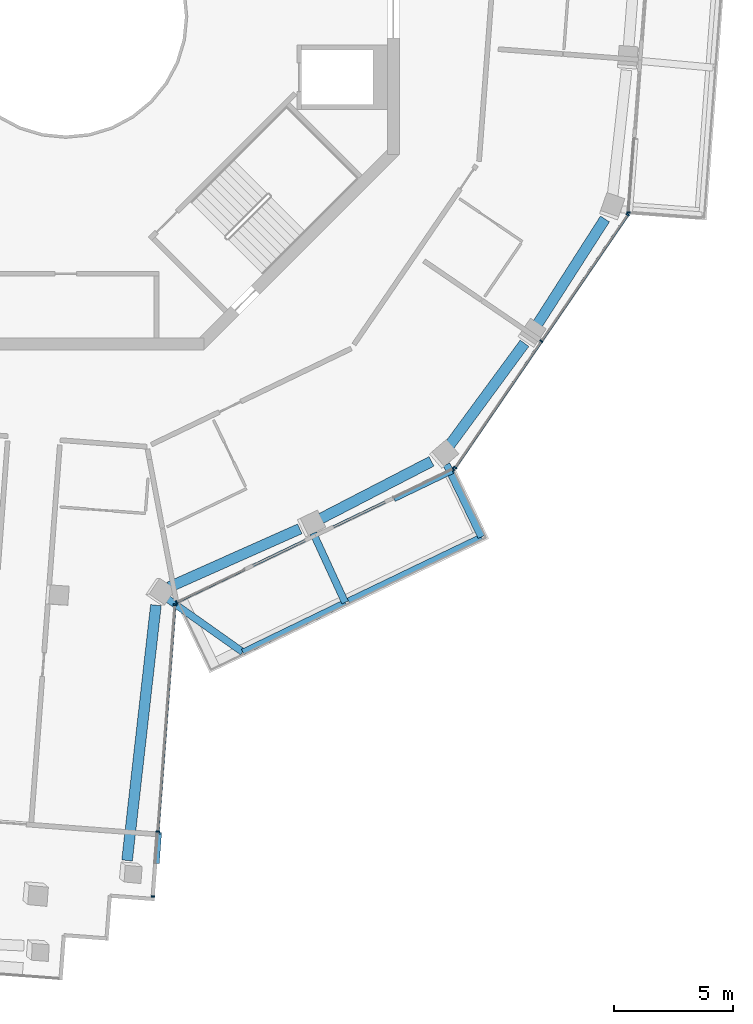
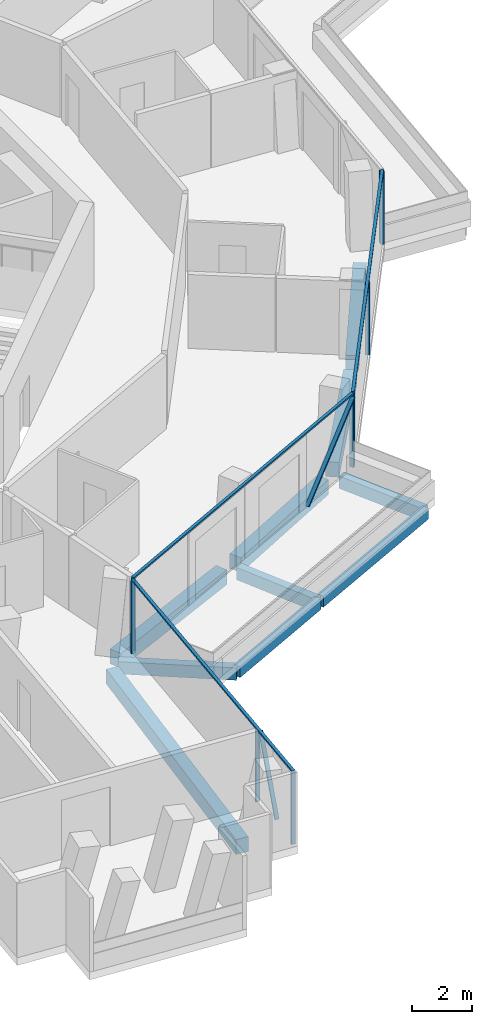
# One storey, part 4 of 23: 14 members, 10 beams, 4 elements without a shape of their own.
"""IFC4 building model written with IfcOpenShell, lengths in metres."""

from ifc_helpers import new_model, si_unit, direction, frame, origin, origin_2d, place, context, subcontext, project, spatial, rectangle, extrude, material, layer, layer_set, material_profile, profile_set, type_object, element, aggregate, save


model = new_model("IFC4")

# Units and contexts
model_context = context("Model", 3, precision=1e-05, world=origin(), true_north=direction((0.0, 1.0)))
body_context = subcontext(model_context, "Body", "Model", "MODEL_VIEW")
ifc_project = project(units=[si_unit("LENGTHUNIT", "METRE"), si_unit("AREAUNIT", "SQUARE_METRE"), si_unit("VOLUMEUNIT", "CUBIC_METRE"), si_unit("PLANEANGLEUNIT", "RADIAN"), si_unit("MASSUNIT", "GRAM", prefix="KILO")], contexts=[model_context])

# Site, building, storey
site_placement = place(None, origin())
site = spatial("IfcSite", under=ifc_project, at=site_placement, CompositionType="ELEMENT")
building_placement = place(site_placement, origin())
building = spatial("IfcBuilding", under=site, at=building_placement, Name="Verdalira Terraces Hotel", CompositionType="ELEMENT")
storey_placement = place(building_placement, frame((0.0, 0.0, 259.5)))
storey = spatial("IfcBuildingStorey", under=building, at=storey_placement, Name="L64", CompositionType="ELEMENT", Elevation=259.5)

# Beams
ifc_material_1 = material(Name="Concrete C40", Category="concrete")
ifc_material_profile_1 = material_profile(ifc_material_1, rectangle(XDim=0.300049, YDim=0.5, at=origin_2d()), Name="RC 300X500")
ifc_profile_set_1 = profile_set([ifc_material_profile_1], Name="Concrete C40")
beam_type_1 = type_object("IfcBeamType", Name="Balcony cantilever beam RC 300X500 C40", PredefinedType="BEAM", material=ifc_profile_set_1)
beam_1_placement = place(storey_placement, frame((4.200928, -24.407715, -0.560059), z_axis=(0.816335323, -0.577578255, 0.0), x_axis=(0.577578255, 0.816335323, 0.0)))
element("IfcBeam", 1, at=beam_1_placement, inside=storey, type_object=beam_type_1, Name="Balcony cantilever beam R25-1", PredefinedType="BEAM", context=body_context, shape_type="SweptSolid", body=[
    extrude(rectangle(XDim=0.300049, YDim=0.5, at=origin_2d()), origin(), (0.0, 0.0, 1.0), 3.950195),
])
beam_2_placement = place(storey_placement, frame((10.387695, -21.699951, -0.560059), z_axis=(0.418211538, -0.908349663, 0.0), x_axis=(0.908349663, 0.418211538, 0.0)))
element("IfcBeam", 2, at=beam_2_placement, inside=storey, type_object=beam_type_1, Name="Balcony cantilever beam R25-2", PredefinedType="BEAM", context=body_context, shape_type="SweptSolid", body=[
    extrude(rectangle(XDim=0.300049, YDim=0.5, at=origin_2d()), origin(), (0.0, 0.0, 1.0), 3.200928),
])
beam_3_placement = place(storey_placement, frame((15.981445, -18.812256, -0.560059), z_axis=(0.433315879, -0.901242114, 0.0), x_axis=(0.901242114, 0.433315879, 0.0)))
element("IfcBeam", 3, at=beam_3_placement, inside=storey, type_object=beam_type_1, Name="Balcony cantilever beam R25-3", PredefinedType="BEAM", context=body_context, shape_type="SweptSolid", body=[
    extrude(rectangle(XDim=0.300049, YDim=0.5, at=origin_2d()), origin(), (0.0, 0.0, 1.0), 3.378906),
])
ifc_material_2 = material(Name="Concrete C40", Category="concrete")
ifc_material_profile_2 = material_profile(ifc_material_2, rectangle(XDim=0.25, YDim=0.449951, at=origin_2d()), Name="RC 250X450")
ifc_profile_set_2 = profile_set([ifc_material_profile_2], Name="Concrete C40")
beam_type_2 = type_object("IfcBeamType", Name="Balcony edge beam RC 250X450 C40", PredefinedType="BEAM", material=ifc_profile_set_2)
beam_4_placement = place(storey_placement, frame((7.425537, -26.689209, -0.534912), z_axis=(0.900096558, 0.435690472, 0.0), x_axis=(-0.435690472, 0.900096558, 0.0)))
element("IfcBeam", 4, at=beam_4_placement, inside=storey, type_object=beam_type_2, Name="Balcony edge beam R25-1", PredefinedType="BEAM", context=body_context, shape_type="SweptSolid", body=[
    extrude(rectangle(XDim=0.25, YDim=0.449951, at=origin_2d()), origin(), (0.0, 0.0, 1.0), 4.778076),
])
beam_5_placement = place(storey_placement, frame((11.861572, -24.54248, -0.534912), z_axis=(0.901224016, 0.433353521, 0.0), x_axis=(-0.433353521, 0.901224016, 0.0)))
element("IfcBeam", 5, at=beam_5_placement, inside=storey, type_object=beam_type_2, Name="Balcony edge beam R25-2", PredefinedType="BEAM", context=body_context, shape_type="SweptSolid", body=[
    extrude(rectangle(XDim=0.25, YDim=0.449951, at=origin_2d()), origin(), (0.0, 0.0, 1.0), 6.196045),
])

# Curtain wall, members
ifc_material_3 = material(Name="Clear glass", Category="glass")
ifc_layer_1 = layer(ifc_material_3, 0.14990234375)
ifc_layer_set_1 = layer_set([ifc_layer_1], Name="CW1 curtain wall")
curtain_wall_type_1 = type_object("IfcCurtainWallType", Name="CW1 curtain wall", PredefinedType="NOTDEFINED", material=ifc_layer_set_1)
curtain_wall_1_placement = place(storey_placement, origin())
curtain_wall_1 = element("IfcCurtainWall", 6, at=curtain_wall_1_placement, inside=storey, type_object=curtain_wall_type_1, Name="CW1 curtain wall L64 edge 25", PredefinedType="NOTDEFINED")
ifc_material_4 = material(Name="Terracotta frame", Category="masonry")
ifc_material_profile_3 = material_profile(ifc_material_4, rectangle(XDim=0.060059, YDim=0.149902, at=origin_2d()), Name="MU 60x150")
ifc_profile_set_3 = profile_set([ifc_material_profile_3], Name="Terracotta frame")
member_type_1 = type_object("IfcMemberType", Name="CW1 mullion 60x150", PredefinedType="MULLION", material=ifc_profile_set_3)
member_1_placement = place(storey_placement, frame((4.648682, -24.598389, 0.0), z_axis=(0.0, 0.0, 1.0), x_axis=(0.901228342, 0.433344523, 0.0)))
member_1 = element("IfcMember", 7, at=member_1_placement, type_object=member_type_1, Name="CW1 mullion", PredefinedType="MULLION", context=body_context, shape_type="SweptSolid", body=[
    extrude(rectangle(XDim=0.060059, YDim=0.149902, at=origin_2d()), origin(), (0.0, 0.0, 1.0), 2.935059),
])
member_2_placement = place(storey_placement, frame((16.274414, -19.008301, 0.0), z_axis=(0.0, 0.0, 1.0), x_axis=(0.901228342, 0.433344523, 0.0)))
member_2 = element("IfcMember", 8, at=member_2_placement, type_object=member_type_1, Name="CW1 mullion", PredefinedType="MULLION", context=body_context, shape_type="SweptSolid", body=[
    extrude(rectangle(XDim=0.060059, YDim=0.149902, at=origin_2d()), origin(), (0.0, 0.0, 1.0), 2.935059),
])

curtain_wall_2_placement = place(storey_placement, origin())
curtain_wall_2 = element("IfcCurtainWall", 9, at=curtain_wall_2_placement, inside=storey, type_object=curtain_wall_type_1, Name="CW1 curtain wall L64 edge 26", PredefinedType="NOTDEFINED")
member_3_placement = place(storey_placement, frame((16.3479, -18.945312, 0.0), z_axis=(0.0, 0.0, 1.0), x_axis=(0.563814377, 0.825901536, 0.0)))
member_3 = element("IfcMember", 10, at=member_3_placement, type_object=member_type_1, Name="CW1 mullion", PredefinedType="MULLION", context=body_context, shape_type="SweptSolid", body=[
    extrude(rectangle(XDim=0.060059, YDim=0.149902, at=origin_2d()), origin(), (0.0, 0.0, 1.0), 2.935059),
])
member_4_placement = place(storey_placement, frame((19.973145, -13.63501, 0.0), z_axis=(0.0, 0.0, 1.0), x_axis=(0.563814377, 0.825901536, 0.0)))
member_4 = element("IfcMember", 11, at=member_4_placement, type_object=member_type_1, Name="CW1 mullion", PredefinedType="MULLION", context=body_context, shape_type="SweptSolid", body=[
    extrude(rectangle(XDim=0.060059, YDim=0.149902, at=origin_2d()), origin(), (0.0, 0.0, 1.0), 2.935059),
])
member_5_placement = place(storey_placement, frame((23.598389, -8.324463, 0.0), z_axis=(0.0, 0.0, 1.0), x_axis=(0.563814377, 0.825901536, 0.0)))
member_5 = element("IfcMember", 12, at=member_5_placement, type_object=member_type_1, Name="CW1 mullion", PredefinedType="MULLION", context=body_context, shape_type="SweptSolid", body=[
    extrude(rectangle(XDim=0.060059, YDim=0.149902, at=origin_2d()), origin(), (0.0, 0.0, 1.0), 2.935059),
])

# Curtain wall, member
curtain_wall_3_placement = place(storey_placement, origin())
curtain_wall_3 = element("IfcCurtainWall", 13, at=curtain_wall_3_placement, inside=storey, type_object=curtain_wall_type_1, Name="CW1 curtain wall L64 edge 27", PredefinedType="NOTDEFINED")
member_6_placement = place(storey_placement, frame((23.630371, -8.233154, 0.0), z_axis=(0.0, 0.0, 1.0), x_axis=(0.075326806, 0.9971589, 0.0)))
member_6 = element("IfcMember", 14, at=member_6_placement, type_object=member_type_1, Name="CW1 mullion", PredefinedType="MULLION", context=body_context, shape_type="SweptSolid", body=[
    extrude(rectangle(XDim=0.060059, YDim=0.149902, at=origin_2d()), origin(), (0.0, 0.0, 1.0), 2.935059),
])
aggregate(curtain_wall_3, [member_6])

# Member
ifc_material_5 = material(Name="Terracotta frame", Category="masonry")
ifc_material_profile_4 = material_profile(ifc_material_5, rectangle(XDim=0.110107, YDim=0.064941, at=origin_2d()), Name="TR 65x110")
ifc_profile_set_4 = profile_set([ifc_material_profile_4], Name="Terracotta frame")
member_type_2 = type_object("IfcMemberType", Name="CW1 transom 65x110", PredefinedType="USERDEFINED", material=ifc_profile_set_4)
member_7_placement = place(storey_placement, frame((4.621826, -24.611328, 2.967529), z_axis=(0.901230354, 0.433340339, 0.0), x_axis=(-0.433340339, 0.901230354, 0.0)))
member_7 = element("IfcMember", 15, at=member_7_placement, type_object=member_type_2, Name="CW1 transom", ObjectType="TRANSOM", PredefinedType="USERDEFINED", context=body_context, shape_type="SweptSolid", body=[
    extrude(rectangle(XDim=0.110107, YDim=0.064941, at=origin_2d()), origin(), (0.0, 0.0, 1.0), 12.959717),
])

member_8_placement = place(storey_placement, frame((16.330811, -18.969971, 2.967529), z_axis=(0.563828685, 0.825891769, 0.0), x_axis=(-0.825891769, 0.563828685, 0.0)))
member_8 = element("IfcMember", 16, at=member_8_placement, type_object=member_type_2, Name="CW1 transom", ObjectType="TRANSOM", PredefinedType="USERDEFINED", context=body_context, shape_type="SweptSolid", body=[
    extrude(rectangle(XDim=0.110107, YDim=0.064941, at=origin_2d()), origin(), (0.0, 0.0, 1.0), 12.919678),
])

aggregate(curtain_wall_2, [member_3, member_4, member_5, member_8])

# Curtain wall, members
ifc_material_6 = material(Name="Clear glass", Category="glass")
ifc_layer_2 = layer(ifc_material_6, 0.14990234375)
ifc_layer_set_2 = layer_set([ifc_layer_2], Name="CW2 curtain wall")
curtain_wall_type_2 = type_object("IfcCurtainWallType", Name="CW2 curtain wall", PredefinedType="NOTDEFINED", material=ifc_layer_set_2)
curtain_wall_4_placement = place(storey_placement, origin())
curtain_wall_4 = element("IfcCurtainWall", 17, at=curtain_wall_4_placement, inside=storey, type_object=curtain_wall_type_2, Name="CW2 curtain wall L64 edge 24", PredefinedType="NOTDEFINED")
ifc_material_7 = material(Name="Terracotta frame", Category="masonry")
ifc_material_profile_5 = material_profile(ifc_material_7, rectangle(XDim=0.070068, YDim=0.149902, at=origin_2d()), Name="MU 70x150")
ifc_profile_set_5 = profile_set([ifc_material_profile_5], Name="Terracotta frame")
member_type_3 = type_object("IfcMemberType", Name="CW2 mullion 70x150", PredefinedType="MULLION", material=ifc_profile_set_5)
member_9_placement = place(storey_placement, frame((3.651855, -36.953125, 0.0), z_axis=(0.0, 0.0, 1.0), x_axis=(0.075326806, 0.9971589, 0.0)))
member_9 = element("IfcMember", 18, at=member_9_placement, type_object=member_type_3, Name="CW2 mullion", PredefinedType="MULLION", context=body_context, shape_type="SweptSolid", body=[
    extrude(rectangle(XDim=0.070068, YDim=0.149902, at=origin_2d()), origin(), (0.0, 0.0, 1.0), 2.935059),
])
member_10_placement = place(storey_placement, frame((3.85791, -34.226074, 0.0), z_axis=(0.0, 0.0, 1.0), x_axis=(0.075326806, 0.9971589, 0.0)))
member_10 = element("IfcMember", 19, at=member_10_placement, type_object=member_type_3, Name="CW2 mullion", PredefinedType="MULLION", context=body_context, shape_type="SweptSolid", body=[
    extrude(rectangle(XDim=0.070068, YDim=0.149902, at=origin_2d()), origin(), (0.0, 0.0, 1.0), 2.935059),
])
member_11_placement = place(storey_placement, frame((4.576904, -24.708252, 0.0), z_axis=(0.0, 0.0, 1.0), x_axis=(0.075326806, 0.9971589, 0.0)))
member_11 = element("IfcMember", 20, at=member_11_placement, type_object=member_type_3, Name="CW2 mullion", PredefinedType="MULLION", context=body_context, shape_type="SweptSolid", body=[
    extrude(rectangle(XDim=0.070068, YDim=0.149902, at=origin_2d()), origin(), (0.0, 0.0, 1.0), 2.935059),
])
ifc_material_8 = material(Name="Terracotta frame", Category="masonry")
ifc_material_profile_6 = material_profile(ifc_material_8, rectangle(XDim=0.11499, YDim=0.064941, at=origin_2d()), Name="TR 65x115")
ifc_profile_set_6 = profile_set([ifc_material_profile_6], Name="Terracotta frame")
member_type_4 = type_object("IfcMemberType", Name="CW2 transom 65x115", PredefinedType="USERDEFINED", material=ifc_profile_set_6)
member_12_placement = place(storey_placement, frame((3.64917, -36.988037, 2.967529), z_axis=(0.075319236, 0.997159472, 0.0), x_axis=(-0.997159472, 0.075319236, 0.0)))
member_12 = element("IfcMember", 21, at=member_12_placement, type_object=member_type_4, Name="CW2 transom", ObjectType="TRANSOM", PredefinedType="USERDEFINED", context=body_context, shape_type="SweptSolid", body=[
    extrude(rectangle(XDim=0.11499, YDim=0.064941, at=origin_2d()), origin(), (0.0, 0.0, 1.0), 12.349854),
])
ifc_material_9 = material(Name="Terracotta frame", Category="masonry")
ifc_material_profile_7 = material_profile(ifc_material_9, rectangle(XDim=0.149902, YDim=0.060059, at=origin_2d()), Name="GB 60x150")
ifc_profile_set_7 = profile_set([ifc_material_profile_7], Name="Terracotta frame")
member_type_5 = type_object("IfcMemberType", Name="Diagonal glazing bar 60x150", PredefinedType="USERDEFINED", material=ifc_profile_set_7)
member_13_placement = place(storey_placement, frame((3.849854, -35.540771, 0.063477), z_axis=(0.030586007, 0.405085849, 0.913766902), x_axis=(-0.997161628, 0.07529069, 0.0)))
member_13 = element("IfcMember", 22, at=member_13_placement, type_object=member_type_5, Name="Diagonal glazing bar", ObjectType="GLAZING BAR", PredefinedType="USERDEFINED", context=body_context, shape_type="SweptSolid", body=[
    extrude(rectangle(XDim=0.149902, YDim=0.060059, at=origin_2d()), origin(), (0.0, 0.0, 1.0), 3.072998),
])
aggregate(curtain_wall_4, [member_9, member_10, member_11, member_12, member_13])

# Member
member_14_placement = place(storey_placement, frame((13.81958, -20.287598, 0.024658), z_axis=(0.617374074, 0.296884388, 0.728497709), x_axis=(-0.433377348, 0.901212558, 0.0)))
member_14 = element("IfcMember", 23, at=member_14_placement, type_object=member_type_5, Name="Diagonal glazing bar", ObjectType="GLAZING BAR", PredefinedType="USERDEFINED", context=body_context, shape_type="SweptSolid", body=[
    extrude(rectangle(XDim=0.149902, YDim=0.060059, at=origin_2d()), origin(), (0.0, 0.0, 1.0), 3.961182),
])

aggregate(curtain_wall_1, [member_1, member_2, member_7, member_14])

# Beams
ifc_material_10 = material(Name="Concrete C40", Category="concrete")
ifc_material_profile_8 = material_profile(ifc_material_10, rectangle(XDim=0.449951, YDim=0.600098, at=origin_2d()), Name="RC 450X600")
ifc_profile_set_8 = profile_set([ifc_material_profile_8], Name="Concrete C40")
beam_type_3 = type_object("IfcBeamType", Name="Spandrel beam RC 450X600 C40", PredefinedType="SPANDREL", material=ifc_profile_set_8)
beam_6_placement = place(storey_placement, frame((2.568115, -35.442383, -0.610107), z_axis=(0.112219629, 0.993683428, 0.0), x_axis=(-0.993683428, 0.112219629, 0.0)))
element("IfcBeam", 24, at=beam_6_placement, inside=storey, type_object=beam_type_3, Name="Spandrel beam B10", PredefinedType="SPANDREL", context=body_context, shape_type="SweptSolid", body=[
    extrude(rectangle(XDim=0.449951, YDim=0.600098, at=origin_2d()), origin(), (0.0, 0.0, 1.0), 10.788574),
])
beam_7_placement = place(storey_placement, frame((4.340332, -23.958984, -0.610107), z_axis=(0.913336042, 0.407206673, 0.0), x_axis=(-0.407206673, 0.913336042, 0.0)))
element("IfcBeam", 25, at=beam_7_placement, inside=storey, type_object=beam_type_3, Name="Spandrel beam B11", PredefinedType="SPANDREL", context=body_context, shape_type="SweptSolid", body=[
    extrude(rectangle(XDim=0.449951, YDim=0.600098, at=origin_2d()), origin(), (0.0, 0.0, 1.0), 5.999756),
])
beam_8_placement = place(storey_placement, frame((10.560791, -21.15918, -0.610107), z_axis=(0.888317605, 0.459229608, 0.0), x_axis=(-0.459229608, 0.888317605, 0.0)))
element("IfcBeam", 26, at=beam_8_placement, inside=storey, type_object=beam_type_3, Name="Spandrel beam B12", PredefinedType="SPANDREL", context=body_context, shape_type="SweptSolid", body=[
    extrude(rectangle(XDim=0.449951, YDim=0.600098, at=origin_2d()), origin(), (0.0, 0.0, 1.0), 5.394531),
])
beam_9_placement = place(storey_placement, frame((16.063232, -18.07251, -0.610107), z_axis=(0.592132195, 0.805840843, 0.0), x_axis=(-0.805840843, 0.592132195, 0.0)))
element("IfcBeam", 27, at=beam_9_placement, inside=storey, type_object=beam_type_3, Name="Spandrel beam B13", PredefinedType="SPANDREL", context=body_context, shape_type="SweptSolid", body=[
    extrude(rectangle(XDim=0.449951, YDim=0.600098, at=origin_2d()), origin(), (0.0, 0.0, 1.0), 5.396729),
])
beam_10_placement = place(storey_placement, frame((19.725586, -13.043945, -0.610107), z_axis=(0.539707239, 0.841852776, 0.0), x_axis=(-0.841852776, 0.539707239, 0.0)))
element("IfcBeam", 28, at=beam_10_placement, inside=storey, type_object=beam_type_3, Name="Spandrel beam B14", PredefinedType="SPANDREL", context=body_context, shape_type="SweptSolid", body=[
    extrude(rectangle(XDim=0.449951, YDim=0.600098, at=origin_2d()), origin(), (0.0, 0.0, 1.0), 5.394287),
])

save(model, "model.ifc")
